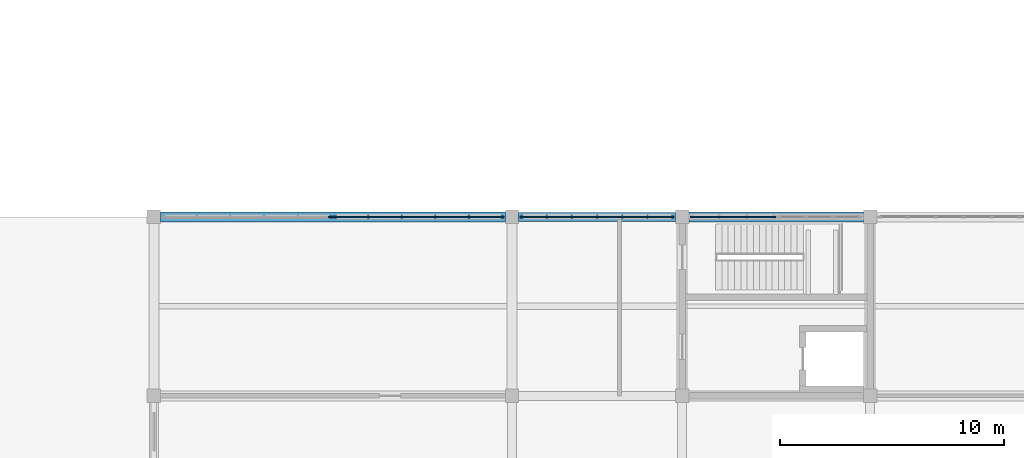
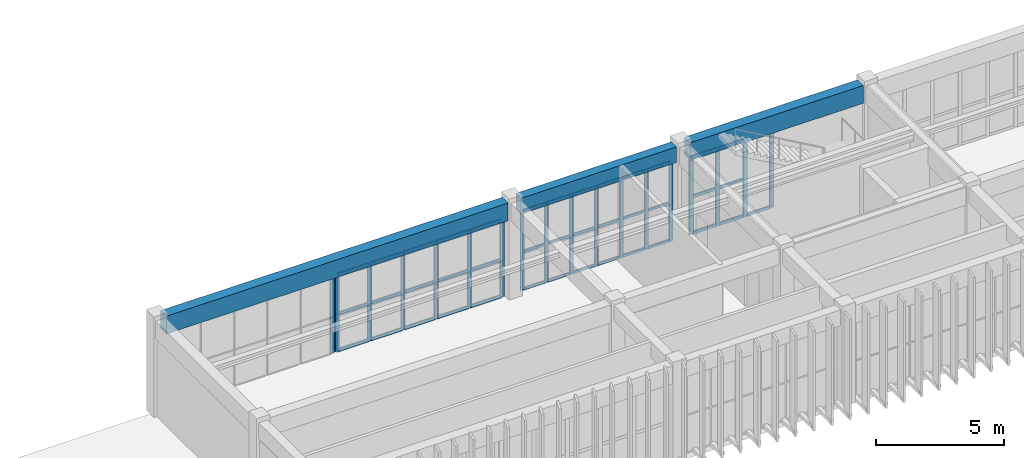
# One storey, part 34 of 76: 58 members, 3 beams, 4 elements without a shape of their own.
"""IFC4 building model written with IfcOpenShell, lengths in metres."""

from ifc_helpers import new_model, si_unit, direction, frame, origin, origin_2d, place, context, subcontext, project, spatial, rectangle, extrude, material, layer, layer_set, material_profile, profile_set, type_object, element, aggregate, save


model = new_model("IFC4")

# Units and contexts
model_context = context("Model", 3, precision=1e-05, world=origin(), true_north=direction((0.0, 1.0)))
body_context = subcontext(model_context, "Body", "Model", "MODEL_VIEW")
ifc_project = project(units=[si_unit("LENGTHUNIT", "METRE"), si_unit("AREAUNIT", "SQUARE_METRE"), si_unit("VOLUMEUNIT", "CUBIC_METRE"), si_unit("PLANEANGLEUNIT", "RADIAN"), si_unit("MASSUNIT", "GRAM", prefix="KILO")], contexts=[model_context])

# Site, building, storey
site_placement = place(None, origin())
site = spatial("IfcSite", under=ifc_project, at=site_placement, CompositionType="ELEMENT")
building_placement = place(site_placement, origin())
building = spatial("IfcBuilding", under=site, at=building_placement, Name="Cinchona Park Media Centre", CompositionType="ELEMENT")
storey_placement = place(building_placement, frame((0.0, 0.0, 15.60009765625)))
storey = spatial("IfcBuildingStorey", under=building, at=storey_placement, Name="L03", CompositionType="ELEMENT", Elevation=15.60009765625)

# Beams
ifc_material_1 = material(Name="Concrete C35/45", Category="concrete")
ifc_material_profile_1 = material_profile(ifc_material_1, rectangle(XDim=0.39990234375, YDim=0.75, at=origin_2d()), Name="RB 400X750")
ifc_profile_set_1 = profile_set([ifc_material_profile_1], Name="Concrete C35/45")
beam_type_1 = type_object("IfcBeamType", Name="BEAM-B01-RB400X750", PredefinedType="BEAM", material=ifc_profile_set_1)
beam_1_placement = place(storey_placement, frame((79.10009765625, 87.60009765625, 4.204833984375), z_axis=(1.0, 0.0, 0.0), x_axis=(0.0, 1.0, 0.0)))
element("IfcBeam", 1, at=beam_1_placement, inside=storey, type_object=beam_type_1, Name="Beam B01 L03", PredefinedType="BEAM", context=body_context, shape_type="SweptSolid", body=[
    extrude(rectangle(XDim=0.39990234375, YDim=0.75, at=origin_2d()), origin(), (0.0, 0.0, 1.0), 7.0),
])
ifc_material_2 = material(Name="Concrete C35/45", Category="concrete")
ifc_material_profile_2 = material_profile(ifc_material_2, rectangle(XDim=0.449951171875, YDim=0.85009765625, at=origin_2d()), Name="RB 450X850")
ifc_profile_set_2 = profile_set([ifc_material_profile_2], Name="Concrete C35/45")
beam_type_2 = type_object("IfcBeamType", Name="BEAM-B02-RB450X850", PredefinedType="BEAM", material=ifc_profile_set_2)
beam_2_placement = place(storey_placement, frame((63.10009765625, 87.60009765625, 4.15478515625), z_axis=(1.0, 0.0, 0.0), x_axis=(0.0, 1.0, 0.0)))
element("IfcBeam", 2, at=beam_2_placement, inside=storey, type_object=beam_type_2, Name="Beam B02 L03", PredefinedType="BEAM", context=body_context, shape_type="SweptSolid", body=[
    extrude(rectangle(XDim=0.449951171875, YDim=0.85009765625, at=origin_2d()), origin(), (0.0, 0.0, 1.0), 15.39990234375),
])
beam_3_placement = place(storey_placement, frame((86.699951171875, 87.60009765625, 4.15478515625), z_axis=(1.0, 0.0, 0.0), x_axis=(0.0, 1.0, 0.0)))
element("IfcBeam", 3, at=beam_3_placement, inside=storey, type_object=beam_type_2, Name="Beam B02 L03", PredefinedType="BEAM", context=body_context, shape_type="SweptSolid", body=[
    extrude(rectangle(XDim=0.449951171875, YDim=0.85009765625, at=origin_2d()), origin(), (0.0, 0.0, 1.0), 7.800048828125),
])

# Curtain wall, members
ifc_material_3 = material(Name="Aluminium Curtain Wall Framing", Category="aluminium")
ifc_layer_1 = layer(ifc_material_3, 0.179931640625)
ifc_layer_set_1 = layer_set([ifc_layer_1], Name="Aluminium Curtain Wall Framing")
curtain_wall_type_1 = type_object("IfcCurtainWallType", Name="CW-CW01", PredefinedType="USERDEFINED", material=ifc_layer_set_1)
curtain_wall_1_placement = place(storey_placement, origin())
curtain_wall_1 = element("IfcCurtainWall", 4, at=curtain_wall_1_placement, inside=storey, type_object=curtain_wall_type_1, Name="Curtain Wall CW01 L03", ObjectType="UNITISED CURTAIN WALL", PredefinedType="USERDEFINED")
ifc_material_4 = material(Name="Anodised Aluminium Alloy 6063-T6", Category="aluminium")
ifc_material_profile_3 = material_profile(ifc_material_4, rectangle(XDim=0.06494140625, YDim=0.159912109375, at=origin_2d()), Name="MUL-65X160")
ifc_profile_set_3 = profile_set([ifc_material_profile_3], Name="Anodised Aluminium Alloy 6063-T6")
member_type_1 = type_object("IfcMemberType", Name="MULLION-MUL01", PredefinedType="MULLION", material=ifc_profile_set_3)
member_1_placement = place(storey_placement, frame((79.25244140625, 87.60009765625, 0.0498046875), z_axis=(0.0, 0.0, 1.0), x_axis=(0.0, 1.0, 0.0)))
member_1 = element("IfcMember", 5, at=member_1_placement, type_object=member_type_1, Name="CW01 mullion 1", PredefinedType="MULLION", context=body_context, shape_type="SweptSolid", body=[
    extrude(rectangle(XDim=0.06494140625, YDim=0.159912109375, at=origin_2d()), origin(), (0.0, 0.0, 1.0), 3.780029296875),
])
member_2_placement = place(storey_placement, frame((80.3466796875, 87.60009765625, 0.0498046875), z_axis=(0.0, 0.0, 1.0), x_axis=(0.0, 1.0, 0.0)))
member_2 = element("IfcMember", 6, at=member_2_placement, type_object=member_type_1, Name="CW01 mullion 2", PredefinedType="MULLION", context=body_context, shape_type="SweptSolid", body=[
    extrude(rectangle(XDim=0.06494140625, YDim=0.159912109375, at=origin_2d()), origin(), (0.0, 0.0, 1.0), 3.780029296875),
])
member_3_placement = place(storey_placement, frame((81.473388671875, 87.60009765625, 0.0498046875), z_axis=(0.0, 0.0, 1.0), x_axis=(0.0, 1.0, 0.0)))
member_3 = element("IfcMember", 7, at=member_3_placement, type_object=member_type_1, Name="CW01 mullion 3", PredefinedType="MULLION", context=body_context, shape_type="SweptSolid", body=[
    extrude(rectangle(XDim=0.06494140625, YDim=0.159912109375, at=origin_2d()), origin(), (0.0, 0.0, 1.0), 3.780029296875),
])
member_4_placement = place(storey_placement, frame((82.60009765625, 87.60009765625, 0.0498046875), z_axis=(0.0, 0.0, 1.0), x_axis=(0.0, 1.0, 0.0)))
member_4 = element("IfcMember", 8, at=member_4_placement, type_object=member_type_1, Name="CW01 mullion 4", PredefinedType="MULLION", context=body_context, shape_type="SweptSolid", body=[
    extrude(rectangle(XDim=0.06494140625, YDim=0.159912109375, at=origin_2d()), origin(), (0.0, 0.0, 1.0), 3.780029296875),
])
member_5_placement = place(storey_placement, frame((83.7265625, 87.60009765625, 0.0498046875), z_axis=(0.0, 0.0, 1.0), x_axis=(0.0, 1.0, 0.0)))
member_5 = element("IfcMember", 9, at=member_5_placement, type_object=member_type_1, Name="CW01 mullion 5", PredefinedType="MULLION", context=body_context, shape_type="SweptSolid", body=[
    extrude(rectangle(XDim=0.06494140625, YDim=0.159912109375, at=origin_2d()), origin(), (0.0, 0.0, 1.0), 3.780029296875),
])
member_6_placement = place(storey_placement, frame((84.853271484375, 87.60009765625, 0.0498046875), z_axis=(0.0, 0.0, 1.0), x_axis=(0.0, 1.0, 0.0)))
member_6 = element("IfcMember", 10, at=member_6_placement, type_object=member_type_1, Name="CW01 mullion 6", PredefinedType="MULLION", context=body_context, shape_type="SweptSolid", body=[
    extrude(rectangle(XDim=0.06494140625, YDim=0.159912109375, at=origin_2d()), origin(), (0.0, 0.0, 1.0), 3.780029296875),
])
member_7_placement = place(storey_placement, frame((85.947509765625, 87.60009765625, 0.0498046875), z_axis=(0.0, 0.0, 1.0), x_axis=(0.0, 1.0, 0.0)))
member_7 = element("IfcMember", 11, at=member_7_placement, type_object=member_type_1, Name="CW01 mullion 7", PredefinedType="MULLION", context=body_context, shape_type="SweptSolid", body=[
    extrude(rectangle(XDim=0.06494140625, YDim=0.159912109375, at=origin_2d()), origin(), (0.0, 0.0, 1.0), 3.780029296875),
])

# Curtain wall, member
ifc_material_5 = material(Name="Aluminium Curtain Wall Framing", Category="aluminium")
ifc_layer_2 = layer(ifc_material_5, 0.284912109375)
ifc_layer_set_2 = layer_set([ifc_layer_2], Name="Aluminium Curtain Wall Framing")
curtain_wall_type_2 = type_object("IfcCurtainWallType", Name="CW-CW08", PredefinedType="USERDEFINED", material=ifc_layer_set_2)
curtain_wall_2_placement = place(storey_placement, origin())
curtain_wall_2 = element("IfcCurtainWall", 12, at=curtain_wall_2_placement, inside=storey, type_object=curtain_wall_type_2, Name="Curtain Wall CW08 L03", ObjectType="UNITISED CURTAIN WALL", PredefinedType="USERDEFINED")
ifc_material_6 = material(Name="Anodised Aluminium Alloy 6063-T6", Category="aluminium")
ifc_material_profile_4 = material_profile(ifc_material_6, rectangle(XDim=0.070068359375, YDim=0.179931640625, at=origin_2d()), Name="MUL-70X180")
ifc_profile_set_4 = profile_set([ifc_material_profile_4], Name="Anodised Aluminium Alloy 6063-T6")
member_type_2 = type_object("IfcMemberType", Name="MULLION-MUL02", PredefinedType="MULLION", material=ifc_profile_set_4)
member_8_placement = place(storey_placement, frame((70.68505859375, 87.60009765625, 0.0498046875), z_axis=(0.0, 0.0, 1.0), x_axis=(0.0, 1.0, 0.0)))
member_8 = element("IfcMember", 13, at=member_8_placement, type_object=member_type_2, Name="CW08 mullion 6", PredefinedType="MULLION", context=body_context, shape_type="SweptSolid", body=[
    extrude(rectangle(XDim=0.070068359375, YDim=0.179931640625, at=origin_2d()), origin(), (0.0, 0.0, 1.0), 3.68017578125),
])
aggregate(curtain_wall_2, [member_8])

# Curtain wall, members
ifc_material_7 = material(Name="Aluminium Curtain Wall Framing", Category="aluminium")
ifc_layer_3 = layer(ifc_material_7, 0.300048828125)
ifc_layer_set_3 = layer_set([ifc_layer_3], Name="Aluminium Curtain Wall Framing")
curtain_wall_type_3 = type_object("IfcCurtainWallType", Name="CW-CW09", PredefinedType="USERDEFINED", material=ifc_layer_set_3)
curtain_wall_3_placement = place(storey_placement, origin())
curtain_wall_3 = element("IfcCurtainWall", 14, at=curtain_wall_3_placement, inside=storey, type_object=curtain_wall_type_3, Name="Curtain Wall CW09 L03", ObjectType="UNITISED CURTAIN WALL", PredefinedType="USERDEFINED")
member_9_placement = place(storey_placement, frame((70.9150390625, 87.60009765625, 0.0498046875), z_axis=(0.0, 0.0, 1.0), x_axis=(0.0, 1.0, 0.0)))
member_9 = element("IfcMember", 15, at=member_9_placement, type_object=member_type_2, Name="CW09 mullion 1", PredefinedType="MULLION", context=body_context, shape_type="SweptSolid", body=[
    extrude(rectangle(XDim=0.070068359375, YDim=0.179931640625, at=origin_2d()), origin(), (0.0, 0.0, 1.0), 3.68017578125),
])
member_10_placement = place(storey_placement, frame((72.3798828125, 87.60009765625, 0.0498046875), z_axis=(0.0, 0.0, 1.0), x_axis=(0.0, 1.0, 0.0)))
member_10 = element("IfcMember", 16, at=member_10_placement, type_object=member_type_2, Name="CW09 mullion 2", PredefinedType="MULLION", context=body_context, shape_type="SweptSolid", body=[
    extrude(rectangle(XDim=0.070068359375, YDim=0.179931640625, at=origin_2d()), origin(), (0.0, 0.0, 1.0), 3.68017578125),
])
member_11_placement = place(storey_placement, frame((73.8798828125, 87.60009765625, 0.0498046875), z_axis=(0.0, 0.0, 1.0), x_axis=(0.0, 1.0, 0.0)))
member_11 = element("IfcMember", 17, at=member_11_placement, type_object=member_type_2, Name="CW09 mullion 3", PredefinedType="MULLION", context=body_context, shape_type="SweptSolid", body=[
    extrude(rectangle(XDim=0.070068359375, YDim=0.179931640625, at=origin_2d()), origin(), (0.0, 0.0, 1.0), 3.68017578125),
])
member_12_placement = place(storey_placement, frame((75.3798828125, 87.60009765625, 0.0498046875), z_axis=(0.0, 0.0, 1.0), x_axis=(0.0, 1.0, 0.0)))
member_12 = element("IfcMember", 18, at=member_12_placement, type_object=member_type_2, Name="CW09 mullion 4", PredefinedType="MULLION", context=body_context, shape_type="SweptSolid", body=[
    extrude(rectangle(XDim=0.070068359375, YDim=0.179931640625, at=origin_2d()), origin(), (0.0, 0.0, 1.0), 3.68017578125),
])
member_13_placement = place(storey_placement, frame((76.8798828125, 87.60009765625, 0.0498046875), z_axis=(0.0, 0.0, 1.0), x_axis=(0.0, 1.0, 0.0)))
member_13 = element("IfcMember", 19, at=member_13_placement, type_object=member_type_2, Name="CW09 mullion 5", PredefinedType="MULLION", context=body_context, shape_type="SweptSolid", body=[
    extrude(rectangle(XDim=0.070068359375, YDim=0.179931640625, at=origin_2d()), origin(), (0.0, 0.0, 1.0), 3.68017578125),
])
member_14_placement = place(storey_placement, frame((78.344970703125, 87.60009765625, 0.0498046875), z_axis=(0.0, 0.0, 1.0), x_axis=(0.0, 1.0, 0.0)))
member_14 = element("IfcMember", 20, at=member_14_placement, type_object=member_type_2, Name="CW09 mullion 6", PredefinedType="MULLION", context=body_context, shape_type="SweptSolid", body=[
    extrude(rectangle(XDim=0.070068359375, YDim=0.179931640625, at=origin_2d()), origin(), (0.0, 0.0, 1.0), 3.68017578125),
])

ifc_material_8 = material(Name="Aluminium Curtain Wall Framing", Category="aluminium")
ifc_layer_4 = layer(ifc_material_8, 0.195068359375)
ifc_layer_set_4 = layer_set([ifc_layer_4], Name="Aluminium Curtain Wall Framing")
curtain_wall_type_4 = type_object("IfcCurtainWallType", Name="CW-CW02", PredefinedType="USERDEFINED", material=ifc_layer_set_4)
curtain_wall_4_placement = place(storey_placement, origin())
curtain_wall_4 = element("IfcCurtainWall", 21, at=curtain_wall_4_placement, inside=storey, type_object=curtain_wall_type_4, Name="Curtain Wall CW02 L03", ObjectType="UNITISED CURTAIN WALL", PredefinedType="USERDEFINED")
member_15_placement = place(storey_placement, frame((86.85498046875, 87.60009765625, 0.0498046875), z_axis=(0.0, 0.0, 1.0), x_axis=(0.0, 1.0, 0.0)))
member_15 = element("IfcMember", 22, at=member_15_placement, type_object=member_type_2, Name="CW02 mullion 1", PredefinedType="MULLION", context=body_context, shape_type="SweptSolid", body=[
    extrude(rectangle(XDim=0.070068359375, YDim=0.179931640625, at=origin_2d()), origin(), (0.0, 0.0, 1.0), 3.68017578125),
])
member_16_placement = place(storey_placement, frame((88.05322265625, 87.60009765625, 0.0498046875), z_axis=(0.0, 0.0, 1.0), x_axis=(0.0, 1.0, 0.0)))
member_16 = element("IfcMember", 23, at=member_16_placement, type_object=member_type_2, Name="CW02 mullion 2", PredefinedType="MULLION", context=body_context, shape_type="SweptSolid", body=[
    extrude(rectangle(XDim=0.070068359375, YDim=0.179931640625, at=origin_2d()), origin(), (0.0, 0.0, 1.0), 3.68017578125),
])
member_17_placement = place(storey_placement, frame((89.28662109375, 87.60009765625, 0.0498046875), z_axis=(0.0, 0.0, 1.0), x_axis=(0.0, 1.0, 0.0)))
member_17 = element("IfcMember", 24, at=member_17_placement, type_object=member_type_2, Name="CW02 mullion 3", PredefinedType="MULLION", context=body_context, shape_type="SweptSolid", body=[
    extrude(rectangle(XDim=0.070068359375, YDim=0.179931640625, at=origin_2d()), origin(), (0.0, 0.0, 1.0), 3.68017578125),
])
member_18_placement = place(storey_placement, frame((90.485107421875, 87.60009765625, 0.0498046875), z_axis=(0.0, 0.0, 1.0), x_axis=(0.0, 1.0, 0.0)))
member_18 = element("IfcMember", 25, at=member_18_placement, type_object=member_type_2, Name="CW02 mullion 4", PredefinedType="MULLION", context=body_context, shape_type="SweptSolid", body=[
    extrude(rectangle(XDim=0.070068359375, YDim=0.179931640625, at=origin_2d()), origin(), (0.0, 0.0, 1.0), 3.68017578125),
])

# Member
ifc_material_9 = material(Name="Anodised Aluminium Alloy 6063-T6", Category="aluminium")
ifc_material_profile_5 = material_profile(ifc_material_9, rectangle(XDim=0.06494140625, YDim=0.1201171875, at=origin_2d()), Name="TRN-65X120")
ifc_profile_set_5 = profile_set([ifc_material_profile_5], Name="Anodised Aluminium Alloy 6063-T6")
member_type_3 = type_object("IfcMemberType", Name="TRANSOM-TRN01", PredefinedType="USERDEFINED", material=ifc_profile_set_5)
member_19_placement = place(storey_placement, frame((79.284912109375, 87.60009765625, 0.08251953125), z_axis=(1.0, 0.0, 0.0), x_axis=(0.0, 1.0, 0.0)))
member_19 = element("IfcMember", 26, at=member_19_placement, type_object=member_type_3, Name="CW01 transom 1.1", ObjectType="TRANSOM", PredefinedType="USERDEFINED", context=body_context, shape_type="SweptSolid", body=[
    extrude(rectangle(XDim=0.06494140625, YDim=0.1201171875, at=origin_2d()), origin(), (0.0, 0.0, 1.0), 1.029296875),
])

member_20_placement = place(storey_placement, frame((79.284912109375, 87.60009765625, 1.864013671875), z_axis=(1.0, 0.0, 0.0), x_axis=(0.0, 1.0, 0.0)))
member_20 = element("IfcMember", 27, at=member_20_placement, type_object=member_type_3, Name="CW01 transom 1.2", ObjectType="TRANSOM", PredefinedType="USERDEFINED", context=body_context, shape_type="SweptSolid", body=[
    extrude(rectangle(XDim=0.06494140625, YDim=0.1201171875, at=origin_2d()), origin(), (0.0, 0.0, 1.0), 1.029296875),
])

member_21_placement = place(storey_placement, frame((79.284912109375, 87.60009765625, 3.79736328125), z_axis=(1.0, 0.0, 0.0), x_axis=(0.0, 1.0, 0.0)))
member_21 = element("IfcMember", 28, at=member_21_placement, type_object=member_type_3, Name="CW01 transom 1.3", ObjectType="TRANSOM", PredefinedType="USERDEFINED", context=body_context, shape_type="SweptSolid", body=[
    extrude(rectangle(XDim=0.06494140625, YDim=0.1201171875, at=origin_2d()), origin(), (0.0, 0.0, 1.0), 1.029296875),
])

member_22_placement = place(storey_placement, frame((80.379150390625, 87.60009765625, 0.08251953125), z_axis=(1.0, 0.0, 0.0), x_axis=(0.0, 1.0, 0.0)))
member_22 = element("IfcMember", 29, at=member_22_placement, type_object=member_type_3, Name="CW01 transom 2.1", ObjectType="TRANSOM", PredefinedType="USERDEFINED", context=body_context, shape_type="SweptSolid", body=[
    extrude(rectangle(XDim=0.06494140625, YDim=0.1201171875, at=origin_2d()), origin(), (0.0, 0.0, 1.0), 1.061767578125),
])

member_23_placement = place(storey_placement, frame((80.379150390625, 87.60009765625, 1.864013671875), z_axis=(1.0, 0.0, 0.0), x_axis=(0.0, 1.0, 0.0)))
member_23 = element("IfcMember", 30, at=member_23_placement, type_object=member_type_3, Name="CW01 transom 2.2", ObjectType="TRANSOM", PredefinedType="USERDEFINED", context=body_context, shape_type="SweptSolid", body=[
    extrude(rectangle(XDim=0.06494140625, YDim=0.1201171875, at=origin_2d()), origin(), (0.0, 0.0, 1.0), 1.061767578125),
])

member_24_placement = place(storey_placement, frame((80.379150390625, 87.60009765625, 3.79736328125), z_axis=(1.0, 0.0, 0.0), x_axis=(0.0, 1.0, 0.0)))
member_24 = element("IfcMember", 31, at=member_24_placement, type_object=member_type_3, Name="CW01 transom 2.3", ObjectType="TRANSOM", PredefinedType="USERDEFINED", context=body_context, shape_type="SweptSolid", body=[
    extrude(rectangle(XDim=0.06494140625, YDim=0.1201171875, at=origin_2d()), origin(), (0.0, 0.0, 1.0), 1.061767578125),
])

member_25_placement = place(storey_placement, frame((81.505859375, 87.60009765625, 0.08251953125), z_axis=(1.0, 0.0, 0.0), x_axis=(0.0, 1.0, 0.0)))
member_25 = element("IfcMember", 32, at=member_25_placement, type_object=member_type_3, Name="CW01 transom 3.1", ObjectType="TRANSOM", PredefinedType="USERDEFINED", context=body_context, shape_type="SweptSolid", body=[
    extrude(rectangle(XDim=0.06494140625, YDim=0.1201171875, at=origin_2d()), origin(), (0.0, 0.0, 1.0), 1.0615234375),
])

member_26_placement = place(storey_placement, frame((81.505859375, 87.60009765625, 1.864013671875), z_axis=(1.0, 0.0, 0.0), x_axis=(0.0, 1.0, 0.0)))
member_26 = element("IfcMember", 33, at=member_26_placement, type_object=member_type_3, Name="CW01 transom 3.2", ObjectType="TRANSOM", PredefinedType="USERDEFINED", context=body_context, shape_type="SweptSolid", body=[
    extrude(rectangle(XDim=0.06494140625, YDim=0.1201171875, at=origin_2d()), origin(), (0.0, 0.0, 1.0), 1.0615234375),
])

member_27_placement = place(storey_placement, frame((81.505859375, 87.60009765625, 3.79736328125), z_axis=(1.0, 0.0, 0.0), x_axis=(0.0, 1.0, 0.0)))
member_27 = element("IfcMember", 34, at=member_27_placement, type_object=member_type_3, Name="CW01 transom 3.3", ObjectType="TRANSOM", PredefinedType="USERDEFINED", context=body_context, shape_type="SweptSolid", body=[
    extrude(rectangle(XDim=0.06494140625, YDim=0.1201171875, at=origin_2d()), origin(), (0.0, 0.0, 1.0), 1.0615234375),
])

member_28_placement = place(storey_placement, frame((82.632568359375, 87.60009765625, 0.08251953125), z_axis=(1.0, 0.0, 0.0), x_axis=(0.0, 1.0, 0.0)))
member_28 = element("IfcMember", 35, at=member_28_placement, type_object=member_type_3, Name="CW01 transom 4.1", ObjectType="TRANSOM", PredefinedType="USERDEFINED", context=body_context, shape_type="SweptSolid", body=[
    extrude(rectangle(XDim=0.06494140625, YDim=0.1201171875, at=origin_2d()), origin(), (0.0, 0.0, 1.0), 1.0615234375),
])

member_29_placement = place(storey_placement, frame((82.632568359375, 87.60009765625, 1.864013671875), z_axis=(1.0, 0.0, 0.0), x_axis=(0.0, 1.0, 0.0)))
member_29 = element("IfcMember", 36, at=member_29_placement, type_object=member_type_3, Name="CW01 transom 4.2", ObjectType="TRANSOM", PredefinedType="USERDEFINED", context=body_context, shape_type="SweptSolid", body=[
    extrude(rectangle(XDim=0.06494140625, YDim=0.1201171875, at=origin_2d()), origin(), (0.0, 0.0, 1.0), 1.0615234375),
])

member_30_placement = place(storey_placement, frame((82.632568359375, 87.60009765625, 3.79736328125), z_axis=(1.0, 0.0, 0.0), x_axis=(0.0, 1.0, 0.0)))
member_30 = element("IfcMember", 37, at=member_30_placement, type_object=member_type_3, Name="CW01 transom 4.3", ObjectType="TRANSOM", PredefinedType="USERDEFINED", context=body_context, shape_type="SweptSolid", body=[
    extrude(rectangle(XDim=0.06494140625, YDim=0.1201171875, at=origin_2d()), origin(), (0.0, 0.0, 1.0), 1.0615234375),
])

member_31_placement = place(storey_placement, frame((83.75927734375, 87.60009765625, 0.08251953125), z_axis=(1.0, 0.0, 0.0), x_axis=(0.0, 1.0, 0.0)))
member_31 = element("IfcMember", 38, at=member_31_placement, type_object=member_type_3, Name="CW01 transom 5.1", ObjectType="TRANSOM", PredefinedType="USERDEFINED", context=body_context, shape_type="SweptSolid", body=[
    extrude(rectangle(XDim=0.06494140625, YDim=0.1201171875, at=origin_2d()), origin(), (0.0, 0.0, 1.0), 1.0615234375),
])

member_32_placement = place(storey_placement, frame((83.75927734375, 87.60009765625, 1.864013671875), z_axis=(1.0, 0.0, 0.0), x_axis=(0.0, 1.0, 0.0)))
member_32 = element("IfcMember", 39, at=member_32_placement, type_object=member_type_3, Name="CW01 transom 5.2", ObjectType="TRANSOM", PredefinedType="USERDEFINED", context=body_context, shape_type="SweptSolid", body=[
    extrude(rectangle(XDim=0.06494140625, YDim=0.1201171875, at=origin_2d()), origin(), (0.0, 0.0, 1.0), 1.0615234375),
])

member_33_placement = place(storey_placement, frame((83.75927734375, 87.60009765625, 3.79736328125), z_axis=(1.0, 0.0, 0.0), x_axis=(0.0, 1.0, 0.0)))
member_33 = element("IfcMember", 40, at=member_33_placement, type_object=member_type_3, Name="CW01 transom 5.3", ObjectType="TRANSOM", PredefinedType="USERDEFINED", context=body_context, shape_type="SweptSolid", body=[
    extrude(rectangle(XDim=0.06494140625, YDim=0.1201171875, at=origin_2d()), origin(), (0.0, 0.0, 1.0), 1.0615234375),
])

member_34_placement = place(storey_placement, frame((84.8857421875, 87.60009765625, 0.08251953125), z_axis=(1.0, 0.0, 0.0), x_axis=(0.0, 1.0, 0.0)))
member_34 = element("IfcMember", 41, at=member_34_placement, type_object=member_type_3, Name="CW01 transom 6.1", ObjectType="TRANSOM", PredefinedType="USERDEFINED", context=body_context, shape_type="SweptSolid", body=[
    extrude(rectangle(XDim=0.06494140625, YDim=0.1201171875, at=origin_2d()), origin(), (0.0, 0.0, 1.0), 1.029296875),
])

member_35_placement = place(storey_placement, frame((84.8857421875, 87.60009765625, 1.864013671875), z_axis=(1.0, 0.0, 0.0), x_axis=(0.0, 1.0, 0.0)))
member_35 = element("IfcMember", 42, at=member_35_placement, type_object=member_type_3, Name="CW01 transom 6.2", ObjectType="TRANSOM", PredefinedType="USERDEFINED", context=body_context, shape_type="SweptSolid", body=[
    extrude(rectangle(XDim=0.06494140625, YDim=0.1201171875, at=origin_2d()), origin(), (0.0, 0.0, 1.0), 1.029296875),
])

member_36_placement = place(storey_placement, frame((84.8857421875, 87.60009765625, 3.79736328125), z_axis=(1.0, 0.0, 0.0), x_axis=(0.0, 1.0, 0.0)))
member_36 = element("IfcMember", 43, at=member_36_placement, type_object=member_type_3, Name="CW01 transom 6.3", ObjectType="TRANSOM", PredefinedType="USERDEFINED", context=body_context, shape_type="SweptSolid", body=[
    extrude(rectangle(XDim=0.06494140625, YDim=0.1201171875, at=origin_2d()), origin(), (0.0, 0.0, 1.0), 1.029296875),
])

aggregate(curtain_wall_1, [member_1, member_2, member_3, member_4, member_5, member_6, member_7, member_19, member_20, member_21, member_22, member_23, member_24, member_25, member_26, member_27, member_28, member_29, member_30, member_31, member_32, member_33, member_34, member_35, member_36])

ifc_material_10 = material(Name="Anodised Aluminium Alloy 6063-T6", Category="aluminium")
ifc_material_profile_6 = material_profile(ifc_material_10, rectangle(XDim=0.070068359375, YDim=0.139892578125, at=origin_2d()), Name="TRN-70X140")
ifc_profile_set_6 = profile_set([ifc_material_profile_6], Name="Anodised Aluminium Alloy 6063-T6")
member_type_4 = type_object("IfcMemberType", Name="TRANSOM-TRN02", PredefinedType="USERDEFINED", material=ifc_profile_set_6)
member_37_placement = place(storey_placement, frame((70.949951171875, 87.60009765625, 0.0849609375), z_axis=(1.0, 0.0, 0.0), x_axis=(0.0, 1.0, 0.0)))
member_37 = element("IfcMember", 44, at=member_37_placement, type_object=member_type_4, Name="CW09 transom 1.1", ObjectType="TRANSOM", PredefinedType="USERDEFINED", context=body_context, shape_type="SweptSolid", body=[
    extrude(rectangle(XDim=0.070068359375, YDim=0.139892578125, at=origin_2d()), origin(), (0.0, 0.0, 1.0), 1.39501953125),
])

member_38_placement = place(storey_placement, frame((70.949951171875, 87.60009765625, 1.81591796875), z_axis=(1.0, 0.0, 0.0), x_axis=(0.0, 1.0, 0.0)))
member_38 = element("IfcMember", 45, at=member_38_placement, type_object=member_type_4, Name="CW09 transom 1.2", ObjectType="TRANSOM", PredefinedType="USERDEFINED", context=body_context, shape_type="SweptSolid", body=[
    extrude(rectangle(XDim=0.070068359375, YDim=0.139892578125, at=origin_2d()), origin(), (0.0, 0.0, 1.0), 1.39501953125),
])

member_39_placement = place(storey_placement, frame((70.949951171875, 87.60009765625, 3.69482421875), z_axis=(1.0, 0.0, 0.0), x_axis=(0.0, 1.0, 0.0)))
member_39 = element("IfcMember", 46, at=member_39_placement, type_object=member_type_4, Name="CW09 transom 1.3", ObjectType="TRANSOM", PredefinedType="USERDEFINED", context=body_context, shape_type="SweptSolid", body=[
    extrude(rectangle(XDim=0.070068359375, YDim=0.139892578125, at=origin_2d()), origin(), (0.0, 0.0, 1.0), 1.39501953125),
])

member_40_placement = place(storey_placement, frame((72.4150390625, 87.60009765625, 0.0849609375), z_axis=(1.0, 0.0, 0.0), x_axis=(0.0, 1.0, 0.0)))
member_40 = element("IfcMember", 47, at=member_40_placement, type_object=member_type_4, Name="CW09 transom 2.1", ObjectType="TRANSOM", PredefinedType="USERDEFINED", context=body_context, shape_type="SweptSolid", body=[
    extrude(rectangle(XDim=0.070068359375, YDim=0.139892578125, at=origin_2d()), origin(), (0.0, 0.0, 1.0), 1.429931640625),
])

member_41_placement = place(storey_placement, frame((72.4150390625, 87.60009765625, 1.81591796875), z_axis=(1.0, 0.0, 0.0), x_axis=(0.0, 1.0, 0.0)))
member_41 = element("IfcMember", 48, at=member_41_placement, type_object=member_type_4, Name="CW09 transom 2.2", ObjectType="TRANSOM", PredefinedType="USERDEFINED", context=body_context, shape_type="SweptSolid", body=[
    extrude(rectangle(XDim=0.070068359375, YDim=0.139892578125, at=origin_2d()), origin(), (0.0, 0.0, 1.0), 1.429931640625),
])

member_42_placement = place(storey_placement, frame((72.4150390625, 87.60009765625, 3.69482421875), z_axis=(1.0, 0.0, 0.0), x_axis=(0.0, 1.0, 0.0)))
member_42 = element("IfcMember", 49, at=member_42_placement, type_object=member_type_4, Name="CW09 transom 2.3", ObjectType="TRANSOM", PredefinedType="USERDEFINED", context=body_context, shape_type="SweptSolid", body=[
    extrude(rectangle(XDim=0.070068359375, YDim=0.139892578125, at=origin_2d()), origin(), (0.0, 0.0, 1.0), 1.429931640625),
])

member_43_placement = place(storey_placement, frame((73.9150390625, 87.60009765625, 0.0849609375), z_axis=(1.0, 0.0, 0.0), x_axis=(0.0, 1.0, 0.0)))
member_43 = element("IfcMember", 50, at=member_43_placement, type_object=member_type_4, Name="CW09 transom 3.1", ObjectType="TRANSOM", PredefinedType="USERDEFINED", context=body_context, shape_type="SweptSolid", body=[
    extrude(rectangle(XDim=0.070068359375, YDim=0.139892578125, at=origin_2d()), origin(), (0.0, 0.0, 1.0), 1.429931640625),
])

member_44_placement = place(storey_placement, frame((73.9150390625, 87.60009765625, 1.81591796875), z_axis=(1.0, 0.0, 0.0), x_axis=(0.0, 1.0, 0.0)))
member_44 = element("IfcMember", 51, at=member_44_placement, type_object=member_type_4, Name="CW09 transom 3.2", ObjectType="TRANSOM", PredefinedType="USERDEFINED", context=body_context, shape_type="SweptSolid", body=[
    extrude(rectangle(XDim=0.070068359375, YDim=0.139892578125, at=origin_2d()), origin(), (0.0, 0.0, 1.0), 1.429931640625),
])

member_45_placement = place(storey_placement, frame((73.9150390625, 87.60009765625, 3.69482421875), z_axis=(1.0, 0.0, 0.0), x_axis=(0.0, 1.0, 0.0)))
member_45 = element("IfcMember", 52, at=member_45_placement, type_object=member_type_4, Name="CW09 transom 3.3", ObjectType="TRANSOM", PredefinedType="USERDEFINED", context=body_context, shape_type="SweptSolid", body=[
    extrude(rectangle(XDim=0.070068359375, YDim=0.139892578125, at=origin_2d()), origin(), (0.0, 0.0, 1.0), 1.429931640625),
])

member_46_placement = place(storey_placement, frame((75.4150390625, 87.60009765625, 0.0849609375), z_axis=(1.0, 0.0, 0.0), x_axis=(0.0, 1.0, 0.0)))
member_46 = element("IfcMember", 53, at=member_46_placement, type_object=member_type_4, Name="CW09 transom 4.1", ObjectType="TRANSOM", PredefinedType="USERDEFINED", context=body_context, shape_type="SweptSolid", body=[
    extrude(rectangle(XDim=0.070068359375, YDim=0.139892578125, at=origin_2d()), origin(), (0.0, 0.0, 1.0), 1.429931640625),
])

member_47_placement = place(storey_placement, frame((75.4150390625, 87.60009765625, 1.81591796875), z_axis=(1.0, 0.0, 0.0), x_axis=(0.0, 1.0, 0.0)))
member_47 = element("IfcMember", 54, at=member_47_placement, type_object=member_type_4, Name="CW09 transom 4.2", ObjectType="TRANSOM", PredefinedType="USERDEFINED", context=body_context, shape_type="SweptSolid", body=[
    extrude(rectangle(XDim=0.070068359375, YDim=0.139892578125, at=origin_2d()), origin(), (0.0, 0.0, 1.0), 1.429931640625),
])

member_48_placement = place(storey_placement, frame((75.4150390625, 87.60009765625, 3.69482421875), z_axis=(1.0, 0.0, 0.0), x_axis=(0.0, 1.0, 0.0)))
member_48 = element("IfcMember", 55, at=member_48_placement, type_object=member_type_4, Name="CW09 transom 4.3", ObjectType="TRANSOM", PredefinedType="USERDEFINED", context=body_context, shape_type="SweptSolid", body=[
    extrude(rectangle(XDim=0.070068359375, YDim=0.139892578125, at=origin_2d()), origin(), (0.0, 0.0, 1.0), 1.429931640625),
])

member_49_placement = place(storey_placement, frame((76.9150390625, 87.60009765625, 0.0849609375), z_axis=(1.0, 0.0, 0.0), x_axis=(0.0, 1.0, 0.0)))
member_49 = element("IfcMember", 56, at=member_49_placement, type_object=member_type_4, Name="CW09 transom 5.1", ObjectType="TRANSOM", PredefinedType="USERDEFINED", context=body_context, shape_type="SweptSolid", body=[
    extrude(rectangle(XDim=0.070068359375, YDim=0.139892578125, at=origin_2d()), origin(), (0.0, 0.0, 1.0), 1.39501953125),
])

member_50_placement = place(storey_placement, frame((76.9150390625, 87.60009765625, 1.81591796875), z_axis=(1.0, 0.0, 0.0), x_axis=(0.0, 1.0, 0.0)))
member_50 = element("IfcMember", 57, at=member_50_placement, type_object=member_type_4, Name="CW09 transom 5.2", ObjectType="TRANSOM", PredefinedType="USERDEFINED", context=body_context, shape_type="SweptSolid", body=[
    extrude(rectangle(XDim=0.070068359375, YDim=0.139892578125, at=origin_2d()), origin(), (0.0, 0.0, 1.0), 1.39501953125),
])

member_51_placement = place(storey_placement, frame((76.9150390625, 87.60009765625, 3.69482421875), z_axis=(1.0, 0.0, 0.0), x_axis=(0.0, 1.0, 0.0)))
member_51 = element("IfcMember", 58, at=member_51_placement, type_object=member_type_4, Name="CW09 transom 5.3", ObjectType="TRANSOM", PredefinedType="USERDEFINED", context=body_context, shape_type="SweptSolid", body=[
    extrude(rectangle(XDim=0.070068359375, YDim=0.139892578125, at=origin_2d()), origin(), (0.0, 0.0, 1.0), 1.39501953125),
])

aggregate(curtain_wall_3, [member_9, member_10, member_11, member_12, member_13, member_14, member_37, member_38, member_39, member_40, member_41, member_42, member_43, member_44, member_45, member_46, member_47, member_48, member_49, member_50, member_51])

member_52_placement = place(storey_placement, frame((86.889892578125, 87.60009765625, 0.0849609375), z_axis=(1.0, 0.0, 0.0), x_axis=(0.0, 1.0, 0.0)))
member_52 = element("IfcMember", 59, at=member_52_placement, type_object=member_type_4, Name="CW02 transom 1.1", ObjectType="TRANSOM", PredefinedType="USERDEFINED", context=body_context, shape_type="SweptSolid", body=[
    extrude(rectangle(XDim=0.070068359375, YDim=0.139892578125, at=origin_2d()), origin(), (0.0, 0.0, 1.0), 1.12841796875),
])

member_53_placement = place(storey_placement, frame((86.889892578125, 87.60009765625, 1.81591796875), z_axis=(1.0, 0.0, 0.0), x_axis=(0.0, 1.0, 0.0)))
member_53 = element("IfcMember", 60, at=member_53_placement, type_object=member_type_4, Name="CW02 transom 1.2", ObjectType="TRANSOM", PredefinedType="USERDEFINED", context=body_context, shape_type="SweptSolid", body=[
    extrude(rectangle(XDim=0.070068359375, YDim=0.139892578125, at=origin_2d()), origin(), (0.0, 0.0, 1.0), 1.12841796875),
])

member_54_placement = place(storey_placement, frame((86.889892578125, 87.60009765625, 3.69482421875), z_axis=(1.0, 0.0, 0.0), x_axis=(0.0, 1.0, 0.0)))
member_54 = element("IfcMember", 61, at=member_54_placement, type_object=member_type_4, Name="CW02 transom 1.3", ObjectType="TRANSOM", PredefinedType="USERDEFINED", context=body_context, shape_type="SweptSolid", body=[
    extrude(rectangle(XDim=0.070068359375, YDim=0.139892578125, at=origin_2d()), origin(), (0.0, 0.0, 1.0), 1.12841796875),
])

member_55_placement = place(storey_placement, frame((88.08837890625, 87.60009765625, 0.0849609375), z_axis=(1.0, 0.0, 0.0), x_axis=(0.0, 1.0, 0.0)))
member_55 = element("IfcMember", 62, at=member_55_placement, type_object=member_type_4, Name="CW02 transom 2.1", ObjectType="TRANSOM", PredefinedType="USERDEFINED", context=body_context, shape_type="SweptSolid", body=[
    extrude(rectangle(XDim=0.070068359375, YDim=0.139892578125, at=origin_2d()), origin(), (0.0, 0.0, 1.0), 1.163330078125),
])

member_56_placement = place(storey_placement, frame((88.08837890625, 87.60009765625, 1.81591796875), z_axis=(1.0, 0.0, 0.0), x_axis=(0.0, 1.0, 0.0)))
member_56 = element("IfcMember", 63, at=member_56_placement, type_object=member_type_4, Name="CW02 transom 2.2", ObjectType="TRANSOM", PredefinedType="USERDEFINED", context=body_context, shape_type="SweptSolid", body=[
    extrude(rectangle(XDim=0.070068359375, YDim=0.139892578125, at=origin_2d()), origin(), (0.0, 0.0, 1.0), 1.163330078125),
])

member_57_placement = place(storey_placement, frame((88.08837890625, 87.60009765625, 3.69482421875), z_axis=(1.0, 0.0, 0.0), x_axis=(0.0, 1.0, 0.0)))
member_57 = element("IfcMember", 64, at=member_57_placement, type_object=member_type_4, Name="CW02 transom 2.3", ObjectType="TRANSOM", PredefinedType="USERDEFINED", context=body_context, shape_type="SweptSolid", body=[
    extrude(rectangle(XDim=0.070068359375, YDim=0.139892578125, at=origin_2d()), origin(), (0.0, 0.0, 1.0), 1.163330078125),
])

member_58_placement = place(storey_placement, frame((89.32177734375, 87.60009765625, 0.0849609375), z_axis=(1.0, 0.0, 0.0), x_axis=(0.0, 1.0, 0.0)))
member_58 = element("IfcMember", 65, at=member_58_placement, type_object=member_type_4, Name="CW02 transom 3.1", ObjectType="TRANSOM", PredefinedType="USERDEFINED", context=body_context, shape_type="SweptSolid", body=[
    extrude(rectangle(XDim=0.070068359375, YDim=0.139892578125, at=origin_2d()), origin(), (0.0, 0.0, 1.0), 1.128173828125),
])

aggregate(curtain_wall_4, [member_15, member_16, member_17, member_18, member_52, member_53, member_54, member_55, member_56, member_57, member_58])

save(model, "model.ifc")
